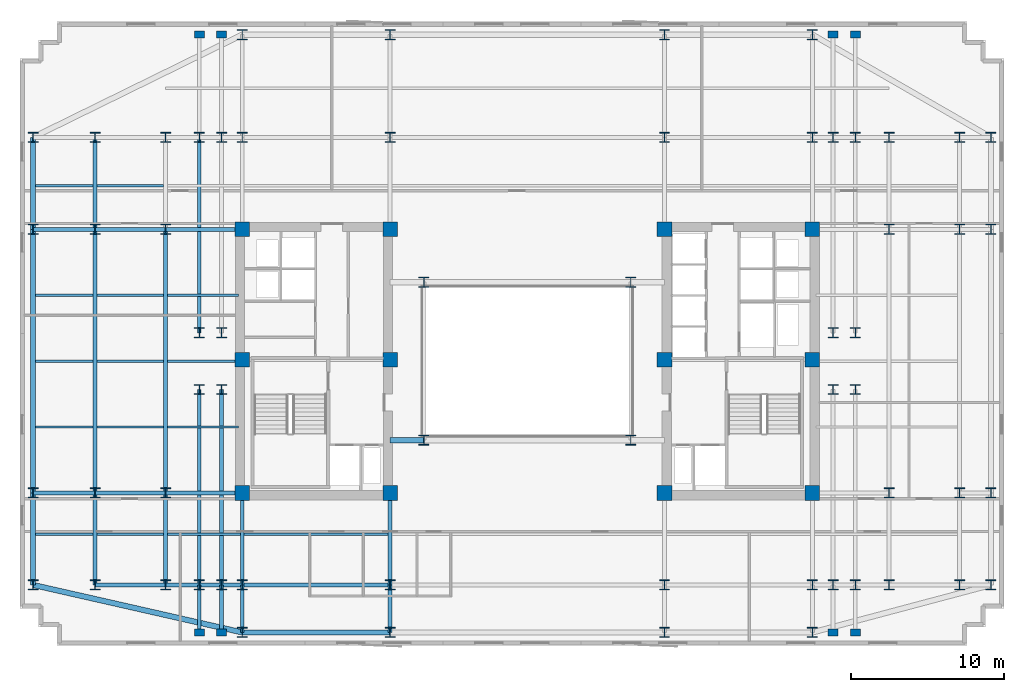
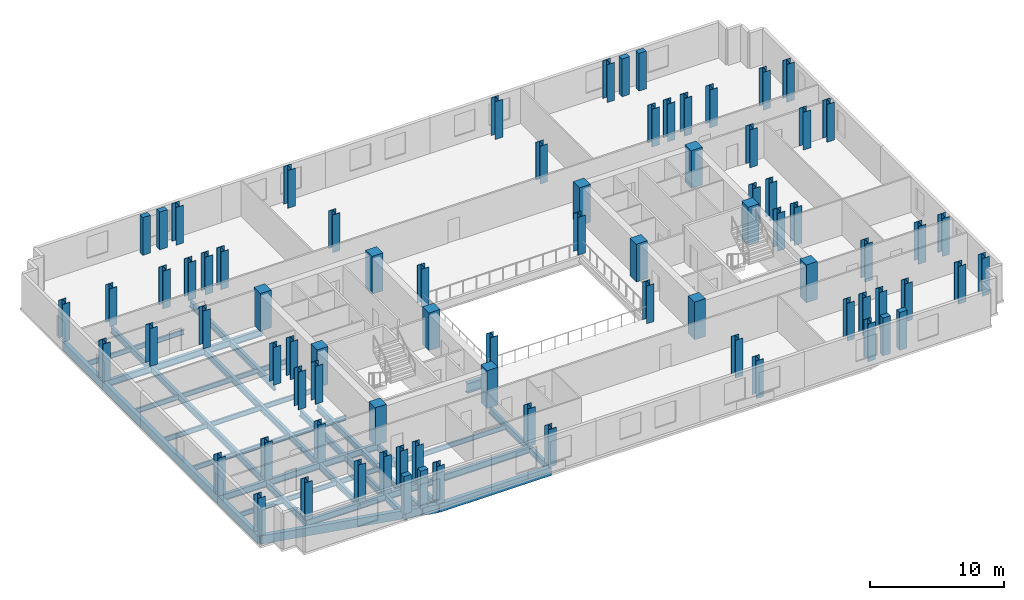
# One storey, part 1 of 10: 80 columns, 44 beams.
"""IFC4 building model written with IfcOpenShell, lengths in metres."""

from ifc_helpers import new_model, si_unit, direction, frame, origin, origin_2d, place, context, subcontext, project, spatial, rectangle, i_section, extrude, material, material_profile, profile_set, type_object, element, save


model = new_model("IFC4")

# Units and contexts
model_context = context("Model", 3, precision=1e-05, world=origin(), true_north=direction((0.0, 1.0)))
body_context = subcontext(model_context, "Body", "Model", "MODEL_VIEW")
ifc_project = project(units=[si_unit("LENGTHUNIT", "METRE"), si_unit("AREAUNIT", "SQUARE_METRE"), si_unit("VOLUMEUNIT", "CUBIC_METRE"), si_unit("PLANEANGLEUNIT", "RADIAN"), si_unit("MASSUNIT", "GRAM", prefix="KILO")], contexts=[model_context])

# Site, building, storey
site_placement = place(None, origin())
site = spatial("IfcSite", under=ifc_project, at=site_placement, CompositionType="ELEMENT")
building_placement = place(site_placement, origin())
building = spatial("IfcBuilding", under=site, at=building_placement, Name="Velakula Bourse", CompositionType="ELEMENT")
storey_placement = place(building_placement, frame((0.0, 0.0, 124.300048828125)))
storey = spatial("IfcBuildingStorey", under=building, at=storey_placement, Name="L33", CompositionType="ELEMENT", Elevation=124.300048828125)

# Columns
ifc_material_1 = material(Name="Concrete M70 (fck 70 MPa)", Category="concrete")
ifc_material_profile_1 = material_profile(ifc_material_1, rectangle(XDim=0.949951171875, YDim=0.949951171875, at=origin_2d()), Name="Concrete M70 (fck 70 MPa)")
ifc_profile_set_1 = profile_set([ifc_material_profile_1], Name="Concrete M70 (fck 70 MPa)")
column_type_1 = type_object("IfcColumnType", Name="COL-RC-950", PredefinedType="COLUMN", material=ifc_profile_set_1)
for number, where, z_axis, x_axis, name in (
    (1, (-8.949951171875, -8.60009765625, 0.0), (0.0, 0.0, 1.0), (1.0, 0.0, 0.0), "L33 Core Boundary Column 01"),
    (2, (-8.949951171875, 0.10009765625, 0.0), (0.0, 0.0, 1.0), (1.0, 0.0, 0.0), "L33 Core Boundary Column 02"),
    (3, (-8.949951171875, 8.60009765625, 0.0), (0.0, 0.0, 1.0), (1.0, 0.0, 0.0), "L33 Core Boundary Column 03"),
    (4, (-18.60009765625, -8.60009765625, 0.0), (0.0, 0.0, 1.0), (1.0, 0.0, 0.0), "L33 Core Boundary Column 04"),
    (5, (-18.60009765625, 0.10009765625, 0.0), (0.0, 0.0, 1.0), (1.0, 0.0, 0.0), "L33 Core Boundary Column 05"),
    (6, (-18.60009765625, 8.60009765625, 0.0), (0.0, 0.0, 1.0), (1.0, 0.0, 0.0), "L33 Core Boundary Column 06"),
    (7, (8.949951171875, -8.60009765625, 0.0), (0.0, 0.0, 1.0), (1.0, 0.0, 0.0), "L33 Core Boundary Column 07"),
    (8, (8.949951171875, 0.10009765625, 0.0), (0.0, 0.0, 1.0), (1.0, 0.0, 0.0), "L33 Core Boundary Column 08"),
    (9, (8.949951171875, 8.60009765625, 0.0), (0.0, 0.0, 1.0), (1.0, 0.0, 0.0), "L33 Core Boundary Column 09"),
    (10, (18.60009765625, -8.60009765625, 0.0), (0.0, 0.0, 1.0), (1.0, 0.0, 0.0), "L33 Core Boundary Column 10"),
    (11, (18.60009765625, 0.10009765625, 0.0), (0.0, 0.0, 1.0), (1.0, 0.0, 0.0), "L33 Core Boundary Column 11"),
    (12, (18.60009765625, 8.60009765625, 0.0), (0.0, 0.0, 1.0), (1.0, 0.0, 0.0), "L33 Core Boundary Column 12"),
):
    element("IfcColumn", number, at=place(storey_placement, frame(where, z_axis=z_axis, x_axis=x_axis)), inside=storey, type_object=column_type_1, Name=name, PredefinedType="COLUMN", context=body_context, shape_type="SweptSolid", body=[
        extrude(rectangle(XDim=0.949951171875, YDim=0.949951171875, at=origin_2d()), origin(), (0.0, 0.0, 1.0), 3.449951171875),
    ])
ifc_material_2 = material(Name="Steel IS 2062 Grade 350 (E350)", Category="steel")
ifc_material_profile_2 = material_profile(ifc_material_2, i_section(OverallWidth=0.64990234375, OverallDepth=0.64990234375, WebThickness=0.028076171875, FlangeThickness=0.0400390625, at=origin_2d()), Name="Steel IS 2062 Grade 350 (E350)")
ifc_profile_set_2 = profile_set([ifc_material_profile_2], Name="Steel IS 2062 Grade 350 (E350)")
column_type_2 = type_object("IfcColumnType", Name="COL-STL-650", PredefinedType="COLUMN", material=ifc_profile_set_2)
for number, where, z_axis, x_axis, name in (
    (13, (-6.75, -5.14990234375, 0.0), (0.0, 0.0, 1.0), (1.0, 0.0, 0.0), "L33 Central Spine Column 01"),
    (14, (-6.75, 5.14990234375, 0.0), (0.0, 0.0, 1.0), (1.0, 0.0, 0.0), "L33 Central Spine Column 02"),
    (15, (6.75, -5.14990234375, 0.0), (0.0, 0.0, 1.0), (1.0, 0.0, 0.0), "L33 Central Spine Column 03"),
    (16, (6.75, 5.14990234375, 0.0), (0.0, 0.0, 1.0), (1.0, 0.0, 0.0), "L33 Central Spine Column 04"),
    (17, (-21.39990234375, -14.60009765625, 0.0), (0.0, 0.0, 1.0), (1.0, 0.0, 0.0), "L33 Tower Fulcrum Column 01"),
    (18, (-21.39990234375, 14.60009765625, 0.0), (0.0, 0.0, 1.0), (1.0, 0.0, 0.0), "L33 Tower Fulcrum Column 02"),
    (19, (-19.949951171875, -14.60009765625, 0.0), (0.0, 0.0, 1.0), (1.0, 0.0, 0.0), "L33 Tower Fulcrum Column 03"),
    (20, (-19.949951171875, 14.60009765625, 0.0), (0.0, 0.0, 1.0), (1.0, 0.0, 0.0), "L33 Tower Fulcrum Column 04"),
    (21, (-18.60009765625, -14.60009765625, 0.0), (0.0, 0.0, 1.0), (1.0, 0.0, 0.0), "L33 Tower Fulcrum Column 05"),
    (22, (-18.60009765625, 14.60009765625, 0.0), (0.0, 0.0, 1.0), (1.0, 0.0, 0.0), "L33 Tower Fulcrum Column 06"),
    (23, (-8.949951171875, -14.60009765625, 0.0), (0.0, 0.0, 1.0), (1.0, 0.0, 0.0), "L33 Tower Fulcrum Column 07"),
    (24, (-8.949951171875, 14.60009765625, 0.0), (0.0, 0.0, 1.0), (1.0, 0.0, 0.0), "L33 Tower Fulcrum Column 08"),
    (25, (8.949951171875, -14.60009765625, 0.0), (0.0, 0.0, 1.0), (1.0, 0.0, 0.0), "L33 Tower Fulcrum Column 09"),
    (26, (8.949951171875, 14.60009765625, 0.0), (0.0, 0.0, 1.0), (1.0, 0.0, 0.0), "L33 Tower Fulcrum Column 10"),
    (27, (18.60009765625, -14.60009765625, 0.0), (0.0, 0.0, 1.0), (1.0, 0.0, 0.0), "L33 Tower Fulcrum Column 11"),
    (28, (18.60009765625, 14.60009765625, 0.0), (0.0, 0.0, 1.0), (1.0, 0.0, 0.0), "L33 Tower Fulcrum Column 12"),
    (29, (19.949951171875, -14.60009765625, 0.0), (0.0, 0.0, 1.0), (1.0, 0.0, 0.0), "L33 Tower Fulcrum Column 13"),
    (30, (19.949951171875, 14.60009765625, 0.0), (0.0, 0.0, 1.0), (1.0, 0.0, 0.0), "L33 Tower Fulcrum Column 14"),
    (31, (21.39990234375, -14.60009765625, 0.0), (0.0, 0.0, 1.0), (1.0, 0.0, 0.0), "L33 Tower Fulcrum Column 15"),
    (32, (21.39990234375, 14.60009765625, 0.0), (0.0, 0.0, 1.0), (1.0, 0.0, 0.0), "L33 Tower Fulcrum Column 16"),
    (33, (-21.39990234375, -1.85009765625, 0.0), (0.0, 0.0, 1.0), (1.0, 0.0, 0.0), "L33 Tower Fulcrum Column 17"),
    (34, (-21.39990234375, 1.85009765625, 0.0), (0.0, 0.0, 1.0), (1.0, 0.0, 0.0), "L33 Tower Fulcrum Column 18"),
    (35, (-19.949951171875, -1.85009765625, 0.0), (0.0, 0.0, 1.0), (1.0, 0.0, 0.0), "L33 Tower Fulcrum Column 19"),
    (36, (-19.949951171875, 1.85009765625, 0.0), (0.0, 0.0, 1.0), (1.0, 0.0, 0.0), "L33 Tower Fulcrum Column 20"),
    (37, (19.949951171875, -1.85009765625, 0.0), (0.0, 0.0, 1.0), (1.0, 0.0, 0.0), "L33 Tower Fulcrum Column 21"),
    (38, (19.949951171875, 1.85009765625, 0.0), (0.0, 0.0, 1.0), (1.0, 0.0, 0.0), "L33 Tower Fulcrum Column 22"),
    (39, (21.39990234375, -1.85009765625, 0.0), (0.0, 0.0, 1.0), (1.0, 0.0, 0.0), "L33 Tower Fulcrum Column 23"),
    (40, (21.39990234375, 1.85009765625, 0.0), (0.0, 0.0, 1.0), (1.0, 0.0, 0.0), "L33 Tower Fulcrum Column 24"),
    (41, (-23.60009765625, -14.60009765625, 0.0), (0.0, 0.0, 1.0), (1.0, 0.0, 0.0), "L33 Mid-Wing Plumb Column 01"),
    (42, (-23.60009765625, -8.60009765625, 0.0), (0.0, 0.0, 1.0), (1.0, 0.0, 0.0), "L33 Mid-Wing Plumb Column 02"),
    (43, (-23.60009765625, 8.60009765625, 0.0), (0.0, 0.0, 1.0), (1.0, 0.0, 0.0), "L33 Mid-Wing Plumb Column 03"),
    (44, (-23.60009765625, 14.60009765625, 0.0), (0.0, 0.0, 1.0), (1.0, 0.0, 0.0), "L33 Mid-Wing Plumb Column 04"),
    (45, (23.60009765625, -14.60009765625, 0.0), (0.0, 0.0, 1.0), (1.0, 0.0, 0.0), "L33 Mid-Wing Plumb Column 05"),
    (46, (23.60009765625, -8.60009765625, 0.0), (0.0, 0.0, 1.0), (1.0, 0.0, 0.0), "L33 Mid-Wing Plumb Column 06"),
    (47, (23.60009765625, 8.60009765625, 0.0), (0.0, 0.0, 1.0), (1.0, 0.0, 0.0), "L33 Mid-Wing Plumb Column 07"),
    (48, (23.60009765625, 14.60009765625, 0.0), (0.0, 0.0, 1.0), (1.0, 0.0, 0.0), "L33 Mid-Wing Plumb Column 08"),
    (49, (-28.199951171875, -14.60009765625, 0.0), (0.0, 0.0, 1.0), (1.0, 0.0, 0.0), "L33 Lower Wing Column 01"),
    (50, (-28.199951171875, -8.60009765625, 0.0), (0.0, 0.0, 1.0), (1.0, 0.0, 0.0), "L33 Lower Wing Column 02"),
    (51, (-28.199951171875, 8.60009765625, 0.0), (0.0, 0.0, 1.0), (1.0, 0.0, 0.0), "L33 Lower Wing Column 03"),
    (52, (-28.199951171875, 14.60009765625, 0.0), (0.0, 0.0, 1.0), (1.0, 0.0, 0.0), "L33 Lower Wing Column 04"),
    (53, (28.199951171875, -14.60009765625, 0.0), (0.0, 0.0, 1.0), (1.0, 0.0, 0.0), "L33 Lower Wing Column 05"),
    (54, (28.199951171875, -8.60009765625, 0.0), (0.0, 0.0, 1.0), (1.0, 0.0, 0.0), "L33 Lower Wing Column 06"),
    (55, (28.199951171875, 8.60009765625, 0.0), (0.0, 0.0, 1.0), (1.0, 0.0, 0.0), "L33 Lower Wing Column 07"),
    (56, (28.199951171875, 14.60009765625, 0.0), (0.0, 0.0, 1.0), (1.0, 0.0, 0.0), "L33 Lower Wing Column 08"),
    (57, (-18.60009765625, -17.699951171875, 0.0), (0.0, 0.0, 1.0), (1.0, 0.0, 0.0), "L33 Block B3 Perimeter Column S1"),
    (58, (-8.949951171875, -17.699951171875, 0.0), (0.0, 0.0, 1.0), (1.0, 0.0, 0.0), "L33 Block B3 Perimeter Column S2"),
    (59, (8.949951171875, -17.699951171875, 0.0), (0.0, 0.0, 1.0), (1.0, 0.0, 0.0), "L33 Block B3 Perimeter Column S3"),
    (60, (18.60009765625, -17.699951171875, 0.0), (0.0, 0.0, 1.0), (1.0, 0.0, 0.0), "L33 Block B3 Perimeter Column S4"),
    (61, (-18.60009765625, 21.300048828125, 0.0), (0.0, 0.0, 1.0), (1.0, 0.0, 0.0), "L33 Block B3 Perimeter Column N1"),
    (62, (-8.949951171875, 21.300048828125, 0.0), (0.0, 0.0, 1.0), (1.0, 0.0, 0.0), "L33 Block B3 Perimeter Column N2"),
    (63, (8.949951171875, 21.300048828125, 0.0), (0.0, 0.0, 1.0), (1.0, 0.0, 0.0), "L33 Block B3 Perimeter Column N3"),
    (64, (18.60009765625, 21.300048828125, 0.0), (0.0, 0.0, 1.0), (1.0, 0.0, 0.0), "L33 Block B3 Perimeter Column N4"),
    (65, (-32.25, -14.60009765625, 0.0), (0.0, 0.0, 1.0), (1.0, 0.0, 0.0), "L33 Block B3 Perimeter Column W1"),
    (66, (-32.25, -8.60009765625, 0.0), (0.0, 0.0, 1.0), (1.0, 0.0, 0.0), "L33 Block B3 Perimeter Column W2"),
    (67, (-32.25, 8.60009765625, 0.0), (0.0, 0.0, 1.0), (1.0, 0.0, 0.0), "L33 Block B3 Perimeter Column W3"),
    (68, (-32.25, 14.60009765625, 0.0), (0.0, 0.0, 1.0), (1.0, 0.0, 0.0), "L33 Block B3 Perimeter Column W4"),
    (69, (30.25, -14.60009765625, 0.0), (0.0, 0.0, 1.0), (1.0, 0.0, 0.0), "L33 Block B3 Perimeter Column E1"),
    (70, (30.25, -8.60009765625, 0.0), (0.0, 0.0, 1.0), (1.0, 0.0, 0.0), "L33 Block B3 Perimeter Column E2"),
    (71, (30.25, 8.60009765625, 0.0), (0.0, 0.0, 1.0), (1.0, 0.0, 0.0), "L33 Block B3 Perimeter Column E3"),
    (72, (30.25, 14.60009765625, 0.0), (0.0, 0.0, 1.0), (1.0, 0.0, 0.0), "L33 Block B3 Perimeter Column E4"),
):
    element("IfcColumn", number, at=place(storey_placement, frame(where, z_axis=z_axis, x_axis=x_axis)), inside=storey, type_object=column_type_2, Name=name, PredefinedType="COLUMN", context=body_context, shape_type="SweptSolid", body=[
        extrude(i_section(OverallWidth=0.64990234375, OverallDepth=0.64990234375, WebThickness=0.028076171875, FlangeThickness=0.0400390625, at=origin_2d()), origin(), (0.0, 0.0, 1.0), 3.449951171875),
    ])
ifc_material_3 = material(Name="Precast concrete M45 (fck 45 MPa)", Category="concrete")
ifc_material_profile_3 = material_profile(ifc_material_3, rectangle(XDim=0.64990234375, YDim=0.449951171875, at=origin_2d()), Name="Precast concrete M45 (fck 45 MPa)")
ifc_profile_set_3 = profile_set([ifc_material_profile_3], Name="Precast concrete M45 (fck 45 MPa)")
column_type_3 = type_object("IfcColumnType", Name="PIL-BRICK-650", PredefinedType="PILASTER", material=ifc_profile_set_3)
for number, where, z_axis, x_axis, name in (
    (73, (-21.39990234375, -17.699951171875, 0.0), (0.0, 0.0, 1.0), (1.0, 0.0, 0.0), "L33 Brick Pier Pilaster 01"),
    (74, (-19.949951171875, -17.699951171875, 0.0), (0.0, 0.0, 1.0), (1.0, 0.0, 0.0), "L33 Brick Pier Pilaster 02"),
    (75, (19.949951171875, -17.699951171875, 0.0), (0.0, 0.0, 1.0), (1.0, 0.0, 0.0), "L33 Brick Pier Pilaster 03"),
    (76, (21.39990234375, -17.699951171875, 0.0), (0.0, 0.0, 1.0), (1.0, 0.0, 0.0), "L33 Brick Pier Pilaster 04"),
    (77, (-21.39990234375, 21.300048828125, 0.0), (0.0, 0.0, 1.0), (1.0, 0.0, 0.0), "L33 Brick Pier Pilaster 05"),
    (78, (-19.949951171875, 21.300048828125, 0.0), (0.0, 0.0, 1.0), (1.0, 0.0, 0.0), "L33 Brick Pier Pilaster 06"),
    (79, (19.949951171875, 21.300048828125, 0.0), (0.0, 0.0, 1.0), (1.0, 0.0, 0.0), "L33 Brick Pier Pilaster 07"),
    (80, (21.39990234375, 21.300048828125, 0.0), (0.0, 0.0, 1.0), (1.0, 0.0, 0.0), "L33 Brick Pier Pilaster 08"),
):
    element("IfcColumn", number, at=place(storey_placement, frame(where, z_axis=z_axis, x_axis=x_axis)), inside=storey, type_object=column_type_3, Name=name, PredefinedType="PILASTER", context=body_context, shape_type="SweptSolid", body=[
        extrude(rectangle(XDim=0.64990234375, YDim=0.449951171875, at=origin_2d()), origin(), (0.0, 0.0, 1.0), 3.449951171875),
    ])

# Beams
ifc_material_profile_4 = material_profile(ifc_material_2, i_section(OverallWidth=0.25, OverallDepth=0.60009765625, WebThickness=0.01123046875, FlangeThickness=0.021240234375, at=origin_2d()), Name="Steel IS 2062 Grade 350 (E350)")
ifc_profile_set_4 = profile_set([ifc_material_profile_4], Name="Steel IS 2062 Grade 350 (E350)")
beam_type_1 = type_object("IfcBeamType", Name="BM-GRD-600M", PredefinedType="BEAM", material=ifc_profile_set_4)
for number, where, z_axis, x_axis, name in (
    (81, (-18.60009765625, -14.60009765625, -0.47998046875), (0.0, 1.0, 0.0), (-1.0, 0.0, 0.0), "L33 Fulcrum Grid Girder FLC-WS"),
    (82, (-8.949951171875, -14.60009765625, -0.47998046875), (0.0, 1.0, 0.0), (-1.0, 0.0, 0.0), "L33 Fulcrum Grid Girder FLC-WCS"),
):
    element("IfcBeam", number, at=place(storey_placement, frame(where, z_axis=z_axis, x_axis=x_axis)), inside=storey, type_object=beam_type_1, Name=name, PredefinedType="BEAM", context=body_context, shape_type="SweptSolid", body=[
        extrude(i_section(OverallWidth=0.25, OverallDepth=0.60009765625, WebThickness=0.01123046875, FlangeThickness=0.021240234375, at=origin_2d()), origin(), (0.0, 0.0, 1.0), 6.0),
    ])
beam_1_placement = place(storey_placement, frame((-18.60009765625, -14.60009765625, -0.47998046875), z_axis=(1.0, 0.0, 0.0), x_axis=(0.0, 1.0, 0.0)))
element("IfcBeam", 83, at=beam_1_placement, inside=storey, type_object=beam_type_1, Name="L33 Fulcrum Grid Girder FLC-S1", PredefinedType="BEAM", context=body_context, shape_type="SweptSolid", body=[
    extrude(i_section(OverallWidth=0.25, OverallDepth=0.60009765625, WebThickness=0.01123046875, FlangeThickness=0.021240234375, at=origin_2d()), origin(), (0.0, 0.0, 1.0), 9.650146484375),
])
for number, where, z_axis, x_axis, name in (
    (84, (-21.39990234375, -14.60009765625, -0.47998046875), (0.0, 1.0, 0.0), (-1.0, 0.0, 0.0), "L33 Fulcrum Grid Girder FLC-PSW1"),
    (85, (-21.39990234375, 1.85009765625, -0.47998046875), (0.0, 1.0, 0.0), (-1.0, 0.0, 0.0), "L33 Fulcrum Grid Girder FLC-PNW1"),
    (86, (-19.949951171875, -14.60009765625, -0.47998046875), (0.0, 1.0, 0.0), (-1.0, 0.0, 0.0), "L33 Fulcrum Grid Girder FLC-PSW2"),
):
    element("IfcBeam", number, at=place(storey_placement, frame(where, z_axis=z_axis, x_axis=x_axis)), inside=storey, type_object=beam_type_1, Name=name, PredefinedType="BEAM", context=body_context, shape_type="SweptSolid", body=[
        extrude(i_section(OverallWidth=0.25, OverallDepth=0.60009765625, WebThickness=0.01123046875, FlangeThickness=0.021240234375, at=origin_2d()), origin(), (0.0, 0.0, 1.0), 12.75),
    ])
for number, where, z_axis, x_axis, name in (
    (87, (-23.60009765625, -14.60009765625, -0.47998046875), (1.0, 0.0, 0.0), (0.0, 1.0, 0.0), "L33 Fulcrum Grid Girder MWG-WS1"),
    (88, (-23.60009765625, -8.60009765625, -0.47998046875), (1.0, 0.0, 0.0), (0.0, 1.0, 0.0), "L33 Fulcrum Grid Girder MWG-WS2"),
    (89, (-23.60009765625, 8.60009765625, -0.47998046875), (1.0, 0.0, 0.0), (0.0, 1.0, 0.0), "L33 Fulcrum Grid Girder MWG-WN1"),
):
    element("IfcBeam", number, at=place(storey_placement, frame(where, z_axis=z_axis, x_axis=x_axis)), inside=storey, type_object=beam_type_1, Name=name, PredefinedType="BEAM", context=body_context, shape_type="SweptSolid", body=[
        extrude(i_section(OverallWidth=0.25, OverallDepth=0.60009765625, WebThickness=0.01123046875, FlangeThickness=0.021240234375, at=origin_2d()), origin(), (0.0, 0.0, 1.0), 5.0),
    ])
beam_2_placement = place(storey_placement, frame((-23.60009765625, -14.60009765625, -0.47998046875), z_axis=(0.0, 1.0, 0.0), x_axis=(-1.0, 0.0, 0.0)))
element("IfcBeam", 90, at=beam_2_placement, inside=storey, type_object=beam_type_1, Name="L33 Fulcrum Grid Girder MWG-WNS1", PredefinedType="BEAM", context=body_context, shape_type="SweptSolid", body=[
    extrude(i_section(OverallWidth=0.25, OverallDepth=0.60009765625, WebThickness=0.01123046875, FlangeThickness=0.021240234375, at=origin_2d()), origin(), (0.0, 0.0, 1.0), 6.0),
])
beam_3_placement = place(storey_placement, frame((-23.60009765625, -8.60009765625, -0.47998046875), z_axis=(0.0, 1.0, 0.0), x_axis=(-1.0, 0.0, 0.0)))
element("IfcBeam", 91, at=beam_3_placement, inside=storey, type_object=beam_type_1, Name="L33 Fulcrum Grid Girder MWG-WNS2", PredefinedType="BEAM", context=body_context, shape_type="SweptSolid", body=[
    extrude(i_section(OverallWidth=0.25, OverallDepth=0.60009765625, WebThickness=0.01123046875, FlangeThickness=0.021240234375, at=origin_2d()), origin(), (0.0, 0.0, 1.0), 17.2001953125),
])
for number, where, z_axis, x_axis, name in (
    (92, (-28.199951171875, -14.60009765625, -0.47998046875), (1.0, 0.0, 0.0), (0.0, 1.0, 0.0), "L33 Fulcrum Grid Girder WNG-WS1"),
    (93, (-28.199951171875, -8.60009765625, -0.47998046875), (1.0, 0.0, 0.0), (0.0, 1.0, 0.0), "L33 Fulcrum Grid Girder WNG-WS2"),
    (94, (-28.199951171875, 8.60009765625, -0.47998046875), (1.0, 0.0, 0.0), (0.0, 1.0, 0.0), "L33 Fulcrum Grid Girder WNG-WN1"),
):
    element("IfcBeam", number, at=place(storey_placement, frame(where, z_axis=z_axis, x_axis=x_axis)), inside=storey, type_object=beam_type_1, Name=name, PredefinedType="BEAM", context=body_context, shape_type="SweptSolid", body=[
        extrude(i_section(OverallWidth=0.25, OverallDepth=0.60009765625, WebThickness=0.01123046875, FlangeThickness=0.021240234375, at=origin_2d()), origin(), (0.0, 0.0, 1.0), 4.599853515625),
    ])
beam_4_placement = place(storey_placement, frame((-28.199951171875, -14.60009765625, -0.47998046875), z_axis=(0.0, 1.0, 0.0), x_axis=(-1.0, 0.0, 0.0)))
element("IfcBeam", 95, at=beam_4_placement, inside=storey, type_object=beam_type_1, Name="L33 Fulcrum Grid Girder WNG-WNS1", PredefinedType="BEAM", context=body_context, shape_type="SweptSolid", body=[
    extrude(i_section(OverallWidth=0.25, OverallDepth=0.60009765625, WebThickness=0.01123046875, FlangeThickness=0.021240234375, at=origin_2d()), origin(), (0.0, 0.0, 1.0), 6.0),
])
beam_5_placement = place(storey_placement, frame((-28.199951171875, -8.60009765625, -0.47998046875), z_axis=(0.0, 1.0, 0.0), x_axis=(-1.0, 0.0, 0.0)))
element("IfcBeam", 96, at=beam_5_placement, inside=storey, type_object=beam_type_1, Name="L33 Fulcrum Grid Girder WNG-WNS2", PredefinedType="BEAM", context=body_context, shape_type="SweptSolid", body=[
    extrude(i_section(OverallWidth=0.25, OverallDepth=0.60009765625, WebThickness=0.01123046875, FlangeThickness=0.021240234375, at=origin_2d()), origin(), (0.0, 0.0, 1.0), 17.2001953125),
])
beam_6_placement = place(storey_placement, frame((-28.199951171875, 8.60009765625, -0.47998046875), z_axis=(0.0, 1.0, 0.0), x_axis=(-1.0, 0.0, 0.0)))
element("IfcBeam", 97, at=beam_6_placement, inside=storey, type_object=beam_type_1, Name="L33 Fulcrum Grid Girder WNG-WNS3", PredefinedType="BEAM", context=body_context, shape_type="SweptSolid", body=[
    extrude(i_section(OverallWidth=0.25, OverallDepth=0.60009765625, WebThickness=0.01123046875, FlangeThickness=0.021240234375, at=origin_2d()), origin(), (0.0, 0.0, 1.0), 6.0),
])
for number, where, z_axis, x_axis, name in (
    (98, (-18.60009765625, -14.60009765625, -0.47998046875), (0.0, -1.0, 0.0), (1.0, 0.0, 0.0), "L33 Perimeter Tie Girder S1"),
    (99, (-8.949951171875, -14.60009765625, -0.47998046875), (0.0, -1.0, 0.0), (1.0, 0.0, 0.0), "L33 Perimeter Tie Girder S2"),
):
    element("IfcBeam", number, at=place(storey_placement, frame(where, z_axis=z_axis, x_axis=x_axis)), inside=storey, type_object=beam_type_1, Name=name, PredefinedType="BEAM", context=body_context, shape_type="SweptSolid", body=[
        extrude(i_section(OverallWidth=0.25, OverallDepth=0.60009765625, WebThickness=0.01123046875, FlangeThickness=0.021240234375, at=origin_2d()), origin(), (0.0, 0.0, 1.0), 3.099853515625),
    ])
for number, where, z_axis, x_axis, name in (
    (100, (-28.199951171875, -8.60009765625, -0.47998046875), (-1.0, 0.0, 0.0), (0.0, -1.0, 0.0), "L33 Perimeter Tie Girder W2"),
    (101, (-28.199951171875, 8.60009765625, -0.47998046875), (-1.0, 0.0, 0.0), (0.0, -1.0, 0.0), "L33 Perimeter Tie Girder W3"),
):
    element("IfcBeam", number, at=place(storey_placement, frame(where, z_axis=z_axis, x_axis=x_axis)), inside=storey, type_object=beam_type_1, Name=name, PredefinedType="BEAM", context=body_context, shape_type="SweptSolid", body=[
        extrude(i_section(OverallWidth=0.25, OverallDepth=0.60009765625, WebThickness=0.01123046875, FlangeThickness=0.021240234375, at=origin_2d()), origin(), (0.0, 0.0, 1.0), 4.050048828125),
    ])
for number, where, z_axis, x_axis, name in (
    (102, (-21.39990234375, -14.60009765625, -0.47998046875), (0.0, -1.0, 0.0), (1.0, 0.0, 0.0), "L33 Perimeter Tie Girder P01"),
    (103, (-19.949951171875, -14.60009765625, -0.47998046875), (0.0, -1.0, 0.0), (1.0, 0.0, 0.0), "L33 Perimeter Tie Girder P02"),
):
    element("IfcBeam", number, at=place(storey_placement, frame(where, z_axis=z_axis, x_axis=x_axis)), inside=storey, type_object=beam_type_1, Name=name, PredefinedType="BEAM", context=body_context, shape_type="SweptSolid", body=[
        extrude(i_section(OverallWidth=0.25, OverallDepth=0.60009765625, WebThickness=0.01123046875, FlangeThickness=0.021240234375, at=origin_2d()), origin(), (0.0, 0.0, 1.0), 3.099853515625),
    ])
ifc_material_profile_5 = material_profile(ifc_material_2, i_section(OverallWidth=0.35009765625, OverallDepth=0.89990234375, WebThickness=0.02001953125, FlangeThickness=0.031982421875, at=origin_2d()), Name="Steel IS 2062 Grade 350 (E350)")
ifc_profile_set_5 = profile_set([ifc_material_profile_5], Name="Steel IS 2062 Grade 350 (E350)")
beam_type_2 = type_object("IfcBeamType", Name="BM-LNK-900", PredefinedType="BEAM", material=ifc_profile_set_5)
beam_7_placement = place(storey_placement, frame((-8.949951171875, -5.14990234375, -0.630126953125), z_axis=(1.0, 0.0, 0.0), x_axis=(0.0, 1.0, 0.0)))
element("IfcBeam", 104, at=beam_7_placement, inside=storey, type_object=beam_type_2, Name="L33 Primary Backbone Girder LNK-S1", PredefinedType="BEAM", context=body_context, shape_type="SweptSolid", body=[
    extrude(i_section(OverallWidth=0.35009765625, OverallDepth=0.89990234375, WebThickness=0.02001953125, FlangeThickness=0.031982421875, at=origin_2d()), origin(), (0.0, 0.0, 1.0), 2.199951171875),
])
ifc_material_profile_6 = material_profile(ifc_material_2, i_section(OverallWidth=0.14990234375, OverallDepth=0.449951171875, WebThickness=0.009521484375, FlangeThickness=0.017333984375, at=origin_2d()), Name="Steel IS 2062 Grade 350 (E350)")
ifc_profile_set_6 = profile_set([ifc_material_profile_6], Name="Steel IS 2062 Grade 350 (E350)")
beam_type_3 = type_object("IfcBeamType", Name="JST-TWR-450", PredefinedType="JOIST", material=ifc_profile_set_6)
beam_8_placement = place(storey_placement, frame((-32.074951171875, -11.300048828125, -0.405029296875), z_axis=(1.0, 0.0, 0.0), x_axis=(0.0, 1.0, 0.0)))
element("IfcBeam", 105, at=beam_8_placement, inside=storey, type_object=beam_type_3, Name="L33 Trading Floor Composite Joist 01", PredefinedType="JOIST", context=body_context, shape_type="SweptSolid", body=[
    extrude(i_section(OverallWidth=0.14990234375, OverallDepth=0.449951171875, WebThickness=0.009521484375, FlangeThickness=0.017333984375, at=origin_2d()), origin(), (0.0, 0.0, 1.0), 3.75),
])
beam_9_placement = place(storey_placement, frame((-28.074951171875, -11.300048828125, -0.405029296875), z_axis=(1.0, 0.0, 0.0), x_axis=(0.0, 1.0, 0.0)))
element("IfcBeam", 106, at=beam_9_placement, inside=storey, type_object=beam_type_3, Name="L33 Trading Floor Composite Joist 02", PredefinedType="JOIST", context=body_context, shape_type="SweptSolid", body=[
    extrude(i_section(OverallWidth=0.14990234375, OverallDepth=0.449951171875, WebThickness=0.009521484375, FlangeThickness=0.017333984375, at=origin_2d()), origin(), (0.0, 0.0, 1.0), 4.349853515625),
])
beam_10_placement = place(storey_placement, frame((-23.47509765625, -11.300048828125, -0.405029296875), z_axis=(1.0, 0.0, 0.0), x_axis=(0.0, 1.0, 0.0)))
element("IfcBeam", 107, at=beam_10_placement, inside=storey, type_object=beam_type_3, Name="L33 Trading Floor Composite Joist 03", PredefinedType="JOIST", context=body_context, shape_type="SweptSolid", body=[
    extrude(i_section(OverallWidth=0.14990234375, OverallDepth=0.449951171875, WebThickness=0.009521484375, FlangeThickness=0.017333984375, at=origin_2d()), origin(), (0.0, 0.0, 1.0), 4.75),
])
beam_11_placement = place(storey_placement, frame((-18.47509765625, -11.300048828125, -0.405029296875), z_axis=(1.0, 0.0, 0.0), x_axis=(0.0, 1.0, 0.0)))
element("IfcBeam", 108, at=beam_11_placement, inside=storey, type_object=beam_type_3, Name="L33 Trading Floor Composite Joist 04", PredefinedType="JOIST", context=body_context, shape_type="SweptSolid", body=[
    extrude(i_section(OverallWidth=0.14990234375, OverallDepth=0.449951171875, WebThickness=0.009521484375, FlangeThickness=0.017333984375, at=origin_2d()), origin(), (0.0, 0.0, 1.0), 9.400146484375),
])
beam_12_placement = place(storey_placement, frame((-32.074951171875, 11.449951171875, -0.405029296875), z_axis=(1.0, 0.0, 0.0), x_axis=(0.0, 1.0, 0.0)))
element("IfcBeam", 109, at=beam_12_placement, inside=storey, type_object=beam_type_3, Name="L33 Trading Floor Composite Joist 09", PredefinedType="JOIST", context=body_context, shape_type="SweptSolid", body=[
    extrude(i_section(OverallWidth=0.14990234375, OverallDepth=0.449951171875, WebThickness=0.009521484375, FlangeThickness=0.017333984375, at=origin_2d()), origin(), (0.0, 0.0, 1.0), 3.75),
])
beam_13_placement = place(storey_placement, frame((-28.074951171875, 11.449951171875, -0.405029296875), z_axis=(1.0, 0.0, 0.0), x_axis=(0.0, 1.0, 0.0)))
element("IfcBeam", 110, at=beam_13_placement, inside=storey, type_object=beam_type_3, Name="L33 Trading Floor Composite Joist 10", PredefinedType="JOIST", context=body_context, shape_type="SweptSolid", body=[
    extrude(i_section(OverallWidth=0.14990234375, OverallDepth=0.449951171875, WebThickness=0.009521484375, FlangeThickness=0.017333984375, at=origin_2d()), origin(), (0.0, 0.0, 1.0), 4.349853515625),
])
beam_14_placement = place(storey_placement, frame((-32.074951171875, -4.300048828125, -0.405029296875), z_axis=(1.0, 0.0, 0.0), x_axis=(0.0, 1.0, 0.0)))
element("IfcBeam", 111, at=beam_14_placement, inside=storey, type_object=beam_type_3, Name="L33 Trading Floor Composite Joist 25", PredefinedType="JOIST", context=body_context, shape_type="SweptSolid", body=[
    extrude(i_section(OverallWidth=0.14990234375, OverallDepth=0.449951171875, WebThickness=0.009521484375, FlangeThickness=0.017333984375, at=origin_2d()), origin(), (0.0, 0.0, 1.0), 3.75),
])
beam_15_placement = place(storey_placement, frame((-28.074951171875, -4.300048828125, -0.405029296875), z_axis=(1.0, 0.0, 0.0), x_axis=(0.0, 1.0, 0.0)))
element("IfcBeam", 112, at=beam_15_placement, inside=storey, type_object=beam_type_3, Name="L33 Trading Floor Composite Joist 26", PredefinedType="JOIST", context=body_context, shape_type="SweptSolid", body=[
    extrude(i_section(OverallWidth=0.14990234375, OverallDepth=0.449951171875, WebThickness=0.009521484375, FlangeThickness=0.017333984375, at=origin_2d()), origin(), (0.0, 0.0, 1.0), 4.349853515625),
])
beam_16_placement = place(storey_placement, frame((-23.47509765625, -4.300048828125, -0.405029296875), z_axis=(1.0, 0.0, 0.0), x_axis=(0.0, 1.0, 0.0)))
element("IfcBeam", 113, at=beam_16_placement, inside=storey, type_object=beam_type_3, Name="L33 Trading Floor Composite Joist 27", PredefinedType="JOIST", context=body_context, shape_type="SweptSolid", body=[
    extrude(i_section(OverallWidth=0.14990234375, OverallDepth=0.449951171875, WebThickness=0.009521484375, FlangeThickness=0.017333984375, at=origin_2d()), origin(), (0.0, 0.0, 1.0), 4.625),
])
beam_17_placement = place(storey_placement, frame((-32.074951171875, 0.0, -0.405029296875), z_axis=(1.0, 0.0, 0.0), x_axis=(0.0, 1.0, 0.0)))
element("IfcBeam", 114, at=beam_17_placement, inside=storey, type_object=beam_type_3, Name="L33 Trading Floor Composite Joist 30", PredefinedType="JOIST", context=body_context, shape_type="SweptSolid", body=[
    extrude(i_section(OverallWidth=0.14990234375, OverallDepth=0.449951171875, WebThickness=0.009521484375, FlangeThickness=0.017333984375, at=origin_2d()), origin(), (0.0, 0.0, 1.0), 3.75),
])
beam_18_placement = place(storey_placement, frame((-28.074951171875, 0.0, -0.405029296875), z_axis=(1.0, 0.0, 0.0), x_axis=(0.0, 1.0, 0.0)))
element("IfcBeam", 115, at=beam_18_placement, inside=storey, type_object=beam_type_3, Name="L33 Trading Floor Composite Joist 31", PredefinedType="JOIST", context=body_context, shape_type="SweptSolid", body=[
    extrude(i_section(OverallWidth=0.14990234375, OverallDepth=0.449951171875, WebThickness=0.009521484375, FlangeThickness=0.017333984375, at=origin_2d()), origin(), (0.0, 0.0, 1.0), 4.349853515625),
])
beam_19_placement = place(storey_placement, frame((-23.47509765625, 0.0, -0.405029296875), z_axis=(1.0, 0.0, 0.0), x_axis=(0.0, 1.0, 0.0)))
element("IfcBeam", 116, at=beam_19_placement, inside=storey, type_object=beam_type_3, Name="L33 Trading Floor Composite Joist 32", PredefinedType="JOIST", context=body_context, shape_type="SweptSolid", body=[
    extrude(i_section(OverallWidth=0.14990234375, OverallDepth=0.449951171875, WebThickness=0.009521484375, FlangeThickness=0.017333984375, at=origin_2d()), origin(), (0.0, 0.0, 1.0), 4.625),
])
beam_20_placement = place(storey_placement, frame((-32.074951171875, 4.300048828125, -0.405029296875), z_axis=(1.0, 0.0, 0.0), x_axis=(0.0, 1.0, 0.0)))
element("IfcBeam", 117, at=beam_20_placement, inside=storey, type_object=beam_type_3, Name="L33 Trading Floor Composite Joist 35", PredefinedType="JOIST", context=body_context, shape_type="SweptSolid", body=[
    extrude(i_section(OverallWidth=0.14990234375, OverallDepth=0.449951171875, WebThickness=0.009521484375, FlangeThickness=0.017333984375, at=origin_2d()), origin(), (0.0, 0.0, 1.0), 3.75),
])
beam_21_placement = place(storey_placement, frame((-28.074951171875, 4.300048828125, -0.405029296875), z_axis=(1.0, 0.0, 0.0), x_axis=(0.0, 1.0, 0.0)))
element("IfcBeam", 118, at=beam_21_placement, inside=storey, type_object=beam_type_3, Name="L33 Trading Floor Composite Joist 36", PredefinedType="JOIST", context=body_context, shape_type="SweptSolid", body=[
    extrude(i_section(OverallWidth=0.14990234375, OverallDepth=0.449951171875, WebThickness=0.009521484375, FlangeThickness=0.017333984375, at=origin_2d()), origin(), (0.0, 0.0, 1.0), 4.349853515625),
])
beam_22_placement = place(storey_placement, frame((-23.47509765625, 4.300048828125, -0.405029296875), z_axis=(1.0, 0.0, 0.0), x_axis=(0.0, 1.0, 0.0)))
element("IfcBeam", 119, at=beam_22_placement, inside=storey, type_object=beam_type_3, Name="L33 Trading Floor Composite Joist 37", PredefinedType="JOIST", context=body_context, shape_type="SweptSolid", body=[
    extrude(i_section(OverallWidth=0.14990234375, OverallDepth=0.449951171875, WebThickness=0.009521484375, FlangeThickness=0.017333984375, at=origin_2d()), origin(), (0.0, 0.0, 1.0), 4.625),
])
ifc_material_profile_7 = material_profile(ifc_material_3, rectangle(XDim=0.35009765625, YDim=0.75, at=origin_2d()), Name="Precast concrete M45 (fck 45 MPa)")
ifc_profile_set_7 = profile_set([ifc_material_profile_7], Name="Precast concrete M45 (fck 45 MPa)")
beam_type_4 = type_object("IfcBeamType", Name="SPN-BRICK-750", PredefinedType="SPANDREL", material=ifc_profile_set_7)
beam_23_placement = place(storey_placement, frame((-18.60009765625, -17.699951171875, -0.554931640625), z_axis=(1.0, 0.0, 0.0), x_axis=(0.0, 1.0, 0.0)))
element("IfcBeam", 120, at=beam_23_placement, inside=storey, type_object=beam_type_4, Name="L33 Brick-Faced Precast Spandrel S1-S2", PredefinedType="SPANDREL", context=body_context, shape_type="SweptSolid", body=[
    extrude(rectangle(XDim=0.35009765625, YDim=0.75, at=origin_2d()), origin(), (0.0, 0.0, 1.0), 9.650146484375),
])
beam_24_placement = place(storey_placement, frame((-32.25, -14.60009765625, -0.554931640625), z_axis=(0.0, 1.0, 0.0), x_axis=(-1.0, 0.0, 0.0)))
element("IfcBeam", 121, at=beam_24_placement, inside=storey, type_object=beam_type_4, Name="L33 Brick-Faced Precast Spandrel W1-W2", PredefinedType="SPANDREL", context=body_context, shape_type="SweptSolid", body=[
    extrude(rectangle(XDim=0.35009765625, YDim=0.75, at=origin_2d()), origin(), (0.0, 0.0, 1.0), 6.0),
])
beam_25_placement = place(storey_placement, frame((-32.25, -8.60009765625, -0.554931640625), z_axis=(0.0, 1.0, 0.0), x_axis=(-1.0, 0.0, 0.0)))
element("IfcBeam", 122, at=beam_25_placement, inside=storey, type_object=beam_type_4, Name="L33 Brick-Faced Precast Spandrel W2-W3", PredefinedType="SPANDREL", context=body_context, shape_type="SweptSolid", body=[
    extrude(rectangle(XDim=0.35009765625, YDim=0.75, at=origin_2d()), origin(), (0.0, 0.0, 1.0), 17.2001953125),
])
beam_26_placement = place(storey_placement, frame((-32.25, 8.60009765625, -0.554931640625), z_axis=(0.0, 1.0, 0.0), x_axis=(-1.0, 0.0, 0.0)))
element("IfcBeam", 123, at=beam_26_placement, inside=storey, type_object=beam_type_4, Name="L33 Brick-Faced Precast Spandrel W3-W4", PredefinedType="SPANDREL", context=body_context, shape_type="SweptSolid", body=[
    extrude(rectangle(XDim=0.35009765625, YDim=0.75, at=origin_2d()), origin(), (0.0, 0.0, 1.0), 6.0),
])
beam_27_placement = place(storey_placement, frame((-32.25, -14.60009765625, -0.554931640625), z_axis=(0.975169850292, -0.221458264875, 0.0), x_axis=(0.221458264875, 0.975169850292, 0.0)))
element("IfcBeam", 124, at=beam_27_placement, inside=storey, type_object=beam_type_4, Name="L33 Brick-Faced Precast Spandrel W1-S1", PredefinedType="SPANDREL", context=body_context, shape_type="SweptSolid", body=[
    extrude(rectangle(XDim=0.35009765625, YDim=0.75, at=origin_2d()), origin(), (0.0, 0.0, 1.0), 13.99755859375),
])

save(model, "model.ifc")
